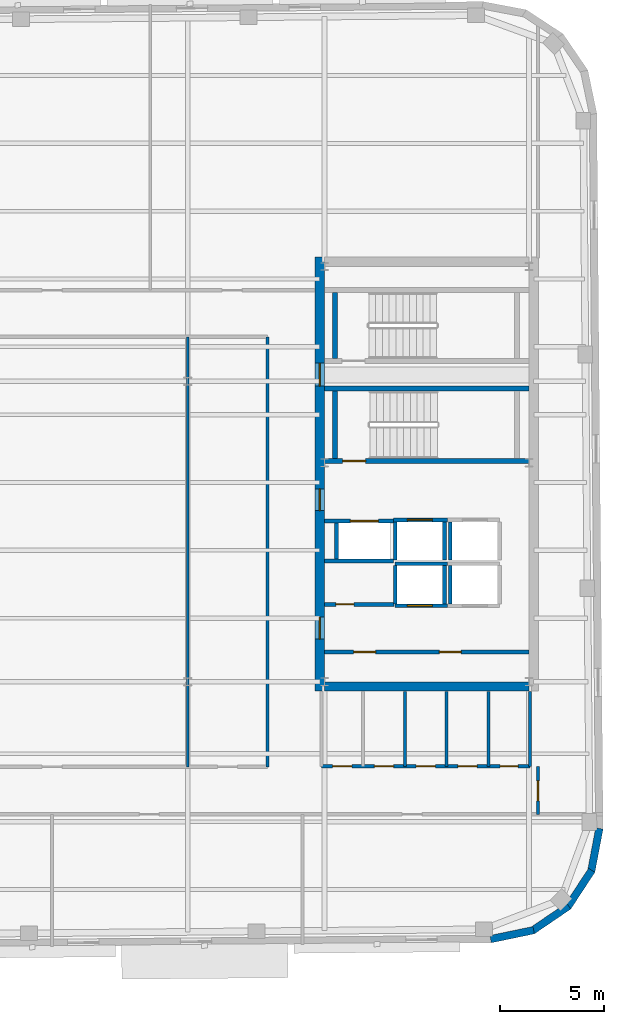
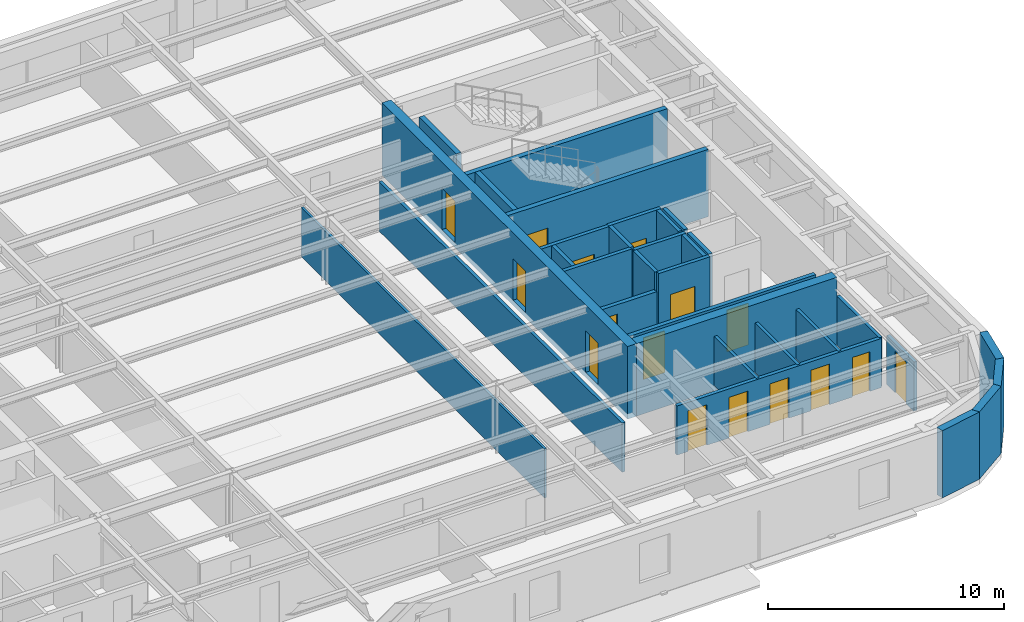
# One storey, part 8 of 13: 32 walls, 16 doors, 16 openings.
"""IFC4 building model written with IfcOpenShell, lengths in metres."""

from ifc_helpers import new_model, si_unit, direction, frame, frame_2d, origin, place, context, subcontext, project, spatial, rectangle, extrude, material, layer, layer_set, type_object, element, fill, save


model = new_model("IFC4")

# Units and contexts
model_context = context("Model", 3, precision=1e-05, world=origin(), true_north=direction((0.0, 1.0)))
body_context = subcontext(model_context, "Body", "Model", "MODEL_VIEW")
ifc_project = project(units=[si_unit("LENGTHUNIT", "METRE"), si_unit("AREAUNIT", "SQUARE_METRE"), si_unit("VOLUMEUNIT", "CUBIC_METRE"), si_unit("PLANEANGLEUNIT", "RADIAN"), si_unit("MASSUNIT", "GRAM", prefix="KILO")], contexts=[model_context])

# Site, building, storey
site_placement = place(None, origin())
site = spatial("IfcSite", under=ifc_project, at=site_placement, CompositionType="ELEMENT")
building_placement = place(site_placement, origin())
building = spatial("IfcBuilding", under=site, at=building_placement, Name="Kolvaren Arena Tower", CompositionType="ELEMENT")
storey_placement = place(building_placement, frame((0.0, 0.0, 278.64990234375)))
storey = spatial("IfcBuildingStorey", under=building, at=storey_placement, Name="L68", CompositionType="ELEMENT", Elevation=278.64990234375)

# Wall
ifc_material_1 = material(Name="Gypsum board acoustic assembly", Category="gypsum")
ifc_layer_1 = layer(ifc_material_1, 0.159912109375)
ifc_layer_set_1 = layer_set([ifc_layer_1], Name="Gypsum board acoustic assembly")
wall_type_1 = type_object("IfcWallType", Name="CORR-160", PredefinedType="PARTITIONING", material=ifc_layer_set_1)
wall_1_placement = place(storey_placement, frame((47.820068359375, 15.3798828125, 0.0), z_axis=(0.0, 0.0, 1.0), x_axis=(0.0, 1.0, 0.0)))
element("IfcWall", 1, at=wall_1_placement, inside=storey, type_object=wall_type_1, Name="Interior Partition Wall (L68)", PredefinedType="PARTITIONING", context=body_context, shape_type="SweptSolid", body=[
    extrude(rectangle(XDim=20.60009765625, YDim=0.159912109375, at=frame_2d((10.300048828125, 0.0))), origin(), (0.0, 0.0, 1.0), 2.5400390625),
])

# Wall, opening, door
wall_2_placement = place(storey_placement, frame((60.780029296875, 13.10009765625, 0.0), z_axis=(0.0, 0.0, 1.0), x_axis=(0.0, 1.0, 0.0)))
wall_2 = element("IfcWall", 2, at=wall_2_placement, inside=storey, type_object=wall_type_1, Name="Interior Partition Wall (L68)", PredefinedType="PARTITIONING", context=body_context, shape_type="SweptSolid", body=[
    extrude(rectangle(XDim=2.2998046875, YDim=0.159912109375, at=frame_2d((1.14990234375, 0.0))), origin(), (0.0, 0.0, 1.0), 2.5400390625),
])
opening_1_placement = place(wall_2_placement, frame((0.64990234375, 0.0, 0.0)))
opening_1 = element("IfcOpeningElement", 3, at=opening_1_placement, cuts=wall_2, Name="Opening D05", PredefinedType="OPENING", context=body_context, shape_type="SweptSolid", body=[
    extrude(rectangle(XDim=0.949951171875, YDim=2.14990234375, at=frame_2d((0.47509765625, 1.074951171875))), frame((0.0, 0.08984375, 0.0), z_axis=(0.0, -1.0, 0.0), x_axis=(1.0, 0.0, 0.0)), (0.0, 0.0, 1.0), 0.179931640625),
])
ifc_material_2 = material(Name="Solid-core oak acoustic office door", Category="wood")
door_type_1 = type_object("IfcDoorType", Name="DOOR-OF-095", OperationType="NOTDEFINED", PredefinedType="DOOR", material=ifc_material_2)
door_1_placement = place(opening_1_placement, origin())
door_1 = element("IfcDoor", 4, at=door_1_placement, inside=storey, type_object=door_type_1, Name="East Wing Studio Door (L68)", OperationType="SINGLE_SWING_RIGHT", OverallHeight=2.14990234375, OverallWidth=0.949951171875, PredefinedType="DOOR", context=body_context, shape_type="SweptSolid", body=[
    extrude(rectangle(XDim=0.949951171875, YDim=2.14990234375, at=frame_2d((0.47509765625, 1.074951171875))), frame((0.0, 0.02490234375, 0.0), z_axis=(0.0, -1.0, 0.0), x_axis=(1.0, 0.0, 0.0)), (0.0, 0.0, 1.0), 0.050048828125),
])
fill(opening_1, door_1)

# Wall, openings, doors
ifc_material_3 = material(Name="Concrete 55 MPa", Category="concrete")
ifc_layer_2 = layer(ifc_material_3, 0.449951171875)
ifc_layer_set_2 = layer_set([ifc_layer_2], Name="Concrete 55 MPa")
wall_type_2 = type_object("IfcWallType", Name="CWALL-450", PredefinedType="SHEAR", material=ifc_layer_set_2)
wall_3_placement = place(storey_placement, frame((50.324951171875, 19.0, -0.27001953125), z_axis=(0.0, 0.0, 1.0), x_axis=(0.0, 1.0, 0.0)))
wall_3 = element("IfcWall", 5, at=wall_3_placement, inside=storey, type_object=wall_type_2, Name="Core Shear Wall EC-WEST (L68)", PredefinedType="SHEAR", context=body_context, shape_type="SweptSolid", body=[
    extrude(rectangle(XDim=20.800048828125, YDim=0.449951171875, at=frame_2d((10.39990234375, 0.0))), origin(), (0.0, 0.0, 1.0), 3.75),
])
opening_2_placement = place(wall_3_placement, frame((2.5, 0.0, 0.27001953125)))
opening_2 = element("IfcOpeningElement", 6, at=opening_2_placement, cuts=wall_3, Name="Opening D04", PredefinedType="OPENING", context=body_context, shape_type="SweptSolid", body=[
    extrude(rectangle(XDim=1.050048828125, YDim=2.14990234375, at=frame_2d((0.52490234375, 1.074951171875))), frame((0.0, 0.23486328125, 0.0), z_axis=(0.0, -1.0, 0.0), x_axis=(1.0, 0.0, 0.0)), (0.0, 0.0, 1.0), 0.469970703125),
])
opening_3_placement = place(wall_3_placement, frame((8.64990234375, 0.0, 0.27001953125)))
opening_3 = element("IfcOpeningElement", 7, at=opening_3_placement, cuts=wall_3, Name="Opening D04", PredefinedType="OPENING", context=body_context, shape_type="SweptSolid", body=[
    extrude(rectangle(XDim=1.050048828125, YDim=2.14990234375, at=frame_2d((0.52490234375, 1.074951171875))), frame((0.0, 0.23486328125, 0.0), z_axis=(0.0, -1.0, 0.0), x_axis=(1.0, 0.0, 0.0)), (0.0, 0.0, 1.0), 0.469970703125),
])
opening_4_placement = place(wall_3_placement, frame((14.6201171875, 0.0, 0.27001953125)))
opening_4 = element("IfcOpeningElement", 8, at=opening_4_placement, cuts=wall_3, Name="Opening D03", PredefinedType="OPENING", context=body_context, shape_type="SweptSolid", body=[
    extrude(rectangle(XDim=1.10009765625, YDim=2.14990234375, at=frame_2d((0.550048828125, 1.074951171875))), frame((0.0, 0.23486328125, 0.0), z_axis=(0.0, -1.0, 0.0), x_axis=(1.0, 0.0, 0.0)), (0.0, 0.0, 1.0), 0.469970703125),
])
ifc_material_4 = material(Name="Fire-rated steel lobby door", Category="steel")
door_type_2 = type_object("IfcDoorType", Name="DOOR-FF-105", OperationType="NOTDEFINED", PredefinedType="DOOR", material=ifc_material_4)
door_2_placement = place(opening_2_placement, origin())
door_2 = element("IfcDoor", 9, at=door_2_placement, inside=storey, type_object=door_type_2, Name="East Lift Lobby Fire Door (L68)", OperationType="SINGLE_SWING_RIGHT", OverallHeight=2.14990234375, OverallWidth=1.050048828125, PredefinedType="DOOR", context=body_context, shape_type="SweptSolid", body=[
    extrude(rectangle(XDim=1.050048828125, YDim=2.14990234375, at=frame_2d((0.52490234375, 1.074951171875))), frame((0.0, 0.02490234375, 0.0), z_axis=(0.0, -1.0, 0.0), x_axis=(1.0, 0.0, 0.0)), (0.0, 0.0, 1.0), 0.050048828125),
])
fill(opening_2, door_2)
door_3_placement = place(opening_3_placement, origin())
door_3 = element("IfcDoor", 10, at=door_3_placement, inside=storey, type_object=door_type_2, Name="East Firefighter Vestibule Door (L68)", OperationType="SINGLE_SWING_LEFT", OverallHeight=2.14990234375, OverallWidth=1.050048828125, PredefinedType="DOOR", context=body_context, shape_type="SweptSolid", body=[
    extrude(rectangle(XDim=1.050048828125, YDim=2.14990234375, at=frame_2d((0.52490234375, 1.074951171875))), frame((0.0, 0.02490234375, 0.0), z_axis=(0.0, -1.0, 0.0), x_axis=(1.0, 0.0, 0.0)), (0.0, 0.0, 1.0), 0.050048828125),
])
fill(opening_3, door_3)
ifc_material_5 = material(Name="Fire-rated steel exit stair door", Category="steel")
door_type_3 = type_object("IfcDoorType", Name="DOOR-ST-110", OperationType="NOTDEFINED", PredefinedType="DOOR", material=ifc_material_5)
door_4_placement = place(opening_4_placement, origin())
door_4 = element("IfcDoor", 11, at=door_4_placement, inside=storey, type_object=door_type_3, Name="Stair ST-E2 Vestibule Fire Door (L68)", OperationType="SINGLE_SWING_LEFT", OverallHeight=2.14990234375, OverallWidth=1.10009765625, PredefinedType="DOOR", context=body_context, shape_type="SweptSolid", body=[
    extrude(rectangle(XDim=1.10009765625, YDim=2.14990234375, at=frame_2d((0.550048828125, 1.074951171875))), frame((0.0, 0.02490234375, 0.0), z_axis=(0.0, -1.0, 0.0), x_axis=(1.0, 0.0, 0.0)), (0.0, 0.0, 1.0), 0.050048828125),
])
fill(opening_4, door_4)

# Walls
wall_4_placement = place(storey_placement, frame((50.550048828125, 19.22509765625, -0.27001953125), z_axis=(0.0, 0.0, 1.0), x_axis=(1.0, 0.0, 0.0)))
element("IfcWall", 12, at=wall_4_placement, inside=storey, type_object=wall_type_2, Name="Core Shear Wall EC-SOUTH (L68)", PredefinedType="SHEAR", context=body_context, shape_type="SweptSolid", body=[
    extrude(rectangle(XDim=9.800048828125, YDim=0.449951171875, at=frame_2d((4.89990234375, 0.0))), origin(), (0.0, 0.0, 1.0), 3.75),
])
ifc_material_6 = material(Name="Precast concrete C50/60", Category="concrete")
ifc_layer_3 = layer(ifc_material_6, 0.360107421875)
ifc_layer_set_3 = layer_set([ifc_layer_3], Name="Precast concrete C50/60")
wall_type_3 = type_object("IfcWallType", Name="EXT-PIER2", PredefinedType="SOLIDWALL", material=ifc_layer_set_3)
wall_5_placement = place(storey_placement, frame((60.572265625, 7.54931640625, 0.0), z_axis=(0.0, 0.0, 1.0), x_axis=(-0.979059388908, -0.203574833883, 0.0)))
element("IfcWall", 13, at=wall_5_placement, inside=storey, type_object=wall_type_3, Name="Exterior Precast Masonry-Frame Wall (L68)", PredefinedType="SOLIDWALL", context=body_context, shape_type="SweptSolid", body=[
    extrude(rectangle(XDim=2.107177734375, YDim=0.360107421875, at=frame_2d((1.0537109375, 0.0))), origin(), (0.0, 0.0, 1.0), 3.47998046875),
])
for number, where, z_axis, x_axis, name in (
    (14, (62.2490234375, 8.707763671875, 0.0), (0.0, 0.0, 1.0), (-0.826572866302, -0.562829722645, 0.0), "Exterior Precast Masonry-Frame Wall (L68)"),
    (15, (63.35498046875, 10.419921875, 0.0), (0.0, 0.0, 1.0), (-0.54818559406, -0.836356714844, 0.0), "Exterior Precast Masonry-Frame Wall (L68)"),
    (16, (63.7216796875, 12.4248046875, 0.0), (0.0, 0.0, 1.0), (-0.186435855703, -0.98246713518, 0.0), "Exterior Precast Masonry-Frame Wall (L68)"),
):
    element("IfcWall", number, at=place(storey_placement, frame(where, z_axis=z_axis, x_axis=x_axis)), inside=storey, type_object=wall_type_3, Name=name, PredefinedType="SOLIDWALL", context=body_context, shape_type="SweptSolid", body=[
        extrude(rectangle(XDim=2.10693359375, YDim=0.360107421875, at=frame_2d((1.053466796875, 0.0))), origin(), (0.0, 0.0, 1.0), 3.47998046875),
    ])

# Wall, openings, doors
ifc_material_7 = material(Name="Concrete 40 MPa", Category="concrete")
ifc_layer_4 = layer(ifc_material_7, 0.199951171875)
ifc_layer_set_4 = layer_set([ifc_layer_4], Name="Concrete 40 MPa")
wall_type_4 = type_object("IfcWallType", Name="LOBBY-200", PredefinedType="SOLIDWALL", material=ifc_layer_set_4)
wall_6_placement = place(storey_placement, frame((50.550048828125, 20.8798828125, 0.0), z_axis=(0.0, 0.0, 1.0), x_axis=(1.0, 0.0, 0.0)))
wall_6 = element("IfcWall", 17, at=wall_6_placement, inside=storey, type_object=wall_type_4, Name="Core Shaft Wall (L68)", PredefinedType="SOLIDWALL", context=body_context, shape_type="SweptSolid", body=[
    extrude(rectangle(XDim=9.800048828125, YDim=0.199951171875, at=frame_2d((4.89990234375, 0.0))), origin(), (0.0, 0.0, 1.0), 2.5400390625),
])
opening_5_placement = place(wall_6_placement, frame((1.39990234375, 0.0, 0.0)))
opening_5 = element("IfcOpeningElement", 18, at=opening_5_placement, cuts=wall_6, Name="Opening D04", PredefinedType="OPENING", context=body_context, shape_type="SweptSolid", body=[
    extrude(rectangle(XDim=1.050048828125, YDim=2.14990234375, at=frame_2d((0.52490234375, 1.074951171875))), frame((0.0, 0.10986328125, 0.0), z_axis=(0.0, -1.0, 0.0), x_axis=(1.0, 0.0, 0.0)), (0.0, 0.0, 1.0), 0.219970703125),
])
opening_6_placement = place(wall_6_placement, frame((5.5, 0.0, 0.0)))
opening_6 = element("IfcOpeningElement", 19, at=opening_6_placement, cuts=wall_6, Name="Opening D04", PredefinedType="OPENING", context=body_context, shape_type="SweptSolid", body=[
    extrude(rectangle(XDim=1.050048828125, YDim=2.14990234375, at=frame_2d((0.52490234375, 1.074951171875))), frame((0.0, 0.10986328125, 0.0), z_axis=(0.0, -1.0, 0.0), x_axis=(1.0, 0.0, 0.0)), (0.0, 0.0, 1.0), 0.219970703125),
])
door_5_placement = place(opening_5_placement, origin())
door_5 = element("IfcDoor", 20, at=door_5_placement, inside=storey, type_object=door_type_2, Name="East Telecom Room Fire Door (L68)", OperationType="SINGLE_SWING_RIGHT", OverallHeight=2.14990234375, OverallWidth=1.050048828125, PredefinedType="DOOR", context=body_context, shape_type="SweptSolid", body=[
    extrude(rectangle(XDim=1.050048828125, YDim=2.14990234375, at=frame_2d((0.52490234375, 1.074951171875))), frame((0.0, 0.02490234375, 0.0), z_axis=(0.0, -1.0, 0.0), x_axis=(1.0, 0.0, 0.0)), (0.0, 0.0, 1.0), 0.050048828125),
])
fill(opening_5, door_5)
door_6_placement = place(opening_6_placement, origin())
door_6 = element("IfcDoor", 21, at=door_6_placement, inside=storey, type_object=door_type_2, Name="East Records Room Fire Door (L68)", OperationType="SINGLE_SWING_LEFT", OverallHeight=2.14990234375, OverallWidth=1.050048828125, PredefinedType="DOOR", context=body_context, shape_type="SweptSolid", body=[
    extrude(rectangle(XDim=1.050048828125, YDim=2.14990234375, at=frame_2d((0.52490234375, 1.074951171875))), frame((0.0, 0.02490234375, 0.0), z_axis=(0.0, -1.0, 0.0), x_axis=(1.0, 0.0, 0.0)), (0.0, 0.0, 1.0), 0.050048828125),
])
fill(opening_6, door_6)

# Wall, opening, door
wall_7_placement = place(storey_placement, frame((50.550048828125, 23.159912109375, 0.0), z_axis=(0.0, 0.0, 1.0), x_axis=(1.0, 0.0, 0.0)))
wall_7 = element("IfcWall", 22, at=wall_7_placement, inside=storey, type_object=wall_type_4, Name="Core Shaft Wall (L68)", PredefinedType="SOLIDWALL", context=body_context, shape_type="SweptSolid", body=[
    extrude(rectangle(XDim=3.329833984375, YDim=0.199951171875, at=frame_2d((1.6650390625, 0.0))), origin(), (0.0, 0.0, 1.0), 2.5400390625),
])
opening_7_placement = place(wall_7_placement, frame((0.550048828125, 0.0, 0.0)))
opening_7 = element("IfcOpeningElement", 23, at=opening_7_placement, cuts=wall_7, Name="Opening D09", PredefinedType="OPENING", context=body_context, shape_type="SweptSolid", body=[
    extrude(rectangle(XDim=0.860107421875, YDim=2.050048828125, at=frame_2d((0.43017578125, 1.02490234375))), frame((0.0, 0.10986328125, 0.0), z_axis=(0.0, -1.0, 0.0), x_axis=(1.0, 0.0, 0.0)), (0.0, 0.0, 1.0), 0.219970703125),
])
ifc_material_8 = material(Name="Fire-rated steel riser access door", Category="steel")
door_type_4 = type_object("IfcDoorType", Name="DOOR-RS-086", OperationType="NOTDEFINED", PredefinedType="DOOR", material=ifc_material_8)
door_7_placement = place(opening_7_placement, origin())
door_7 = element("IfcDoor", 24, at=door_7_placement, inside=storey, type_object=door_type_4, Name="East AV Riser Closet Door (L68)", OperationType="SINGLE_SWING_LEFT", OverallHeight=2.050048828125, OverallWidth=0.860107421875, PredefinedType="DOOR", context=body_context, shape_type="SweptSolid", body=[
    extrude(rectangle(XDim=0.860107421875, YDim=2.050048828125, at=frame_2d((0.43017578125, 1.02490234375))), frame((0.0, 0.02490234375, 0.0), z_axis=(0.0, -1.0, 0.0), x_axis=(1.0, 0.0, 0.0)), (0.0, 0.0, 1.0), 0.050048828125),
])
fill(opening_7, door_7)

# Wall
ifc_material_9 = material(Name="Gypsum board partition assembly", Category="gypsum")
ifc_layer_5 = layer(ifc_material_9, 0.114990234375)
ifc_layer_set_5 = layer_set([ifc_layer_5], Name="Gypsum board partition assembly")
wall_type_5 = type_object("IfcWallType", Name="PART-115", PredefinedType="PARTITIONING", material=ifc_layer_set_5)
wall_8_placement = place(storey_placement, frame((44.0, 15.3798828125, 0.0), z_axis=(0.0, 0.0, 1.0), x_axis=(0.0, 1.0, 0.0)))
element("IfcWall", 25, at=wall_8_placement, inside=storey, type_object=wall_type_5, Name="Interior Partition Wall (L68)", PredefinedType="PARTITIONING", context=body_context, shape_type="SweptSolid", body=[
    extrude(rectangle(XDim=20.60009765625, YDim=0.114990234375, at=frame_2d((10.300048828125, 0.0))), origin(), (0.0, 0.0, 1.0), 2.5400390625),
])

# Wall, opening, door
ifc_material_10 = material(Name="Concrete 45 MPa", Category="concrete")
ifc_layer_6 = layer(ifc_material_10, 0.25)
ifc_layer_set_6 = layer_set([ifc_layer_6], Name="Concrete 45 MPa")
wall_type_6 = type_object("IfcWallType", Name="SHAFT-250", PredefinedType="SOLIDWALL", material=ifc_layer_set_6)
wall_9_placement = place(storey_placement, frame((60.35009765625, 30.030029296875, 0.0), z_axis=(0.0, 0.0, 1.0), x_axis=(-1.0, 0.0, 0.0)))
wall_9 = element("IfcWall", 26, at=wall_9_placement, inside=storey, type_object=wall_type_6, Name="Core Shaft Wall (L68)", PredefinedType="SOLIDWALL", context=body_context, shape_type="SweptSolid", body=[
    extrude(rectangle(XDim=9.800048828125, YDim=0.239990234375, at=frame_2d((4.89990234375, 0.0))), origin(), (0.0, 0.0, 1.0), 3.47998046875),
])
opening_8_placement = place(wall_9_placement, frame((7.830078125, 0.0, 0.0)))
opening_8 = element("IfcOpeningElement", 27, at=opening_8_placement, cuts=wall_9, Name="Opening D03", PredefinedType="OPENING", context=body_context, shape_type="SweptSolid", body=[
    extrude(rectangle(XDim=1.10009765625, YDim=2.14990234375, at=frame_2d((0.550048828125, 1.074951171875))), frame((0.0, 0.1298828125, 0.0), z_axis=(0.0, -1.0, 0.0), x_axis=(1.0, 0.0, 0.0)), (0.0, 0.0, 1.0), 0.260009765625),
])
door_8_placement = place(opening_8_placement, origin())
door_8 = element("IfcDoor", 28, at=door_8_placement, inside=storey, type_object=door_type_3, Name="Stair ST-E1 Fire Door (L68)", OperationType="SINGLE_SWING_LEFT", OverallHeight=2.14990234375, OverallWidth=1.10009765625, PredefinedType="DOOR", context=body_context, shape_type="SweptSolid", body=[
    extrude(rectangle(XDim=1.10009765625, YDim=2.14990234375, at=frame_2d((0.550048828125, 1.074951171875))), frame((0.0, 0.02490234375, 0.0), z_axis=(0.0, -1.0, 0.0), x_axis=(1.0, 0.0, 0.0)), (0.0, 0.0, 1.0), 0.050048828125),
])
fill(opening_8, door_8)

# Walls
wall_10_placement = place(storey_placement, frame((50.550048828125, 33.5, 0.0), z_axis=(0.0, 0.0, 1.0), x_axis=(1.0, 0.0, 0.0)))
element("IfcWall", 29, at=wall_10_placement, inside=storey, type_object=wall_type_6, Name="Core Shaft Wall (L68)", PredefinedType="SOLIDWALL", context=body_context, shape_type="SweptSolid", body=[
    extrude(rectangle(XDim=9.800048828125, YDim=0.239990234375, at=frame_2d((4.89990234375, 0.0))), origin(), (0.0, 0.0, 1.0), 3.47998046875),
])
wall_11_placement = place(storey_placement, frame((51.06005859375, 30.14990234375, 0.0), z_axis=(0.0, 0.0, 1.0), x_axis=(0.0, 1.0, 0.0)))
element("IfcWall", 30, at=wall_11_placement, inside=storey, type_object=wall_type_6, Name="Core Shaft Wall (L68)", PredefinedType="SOLIDWALL", context=body_context, shape_type="SweptSolid", body=[
    extrude(rectangle(XDim=3.22998046875, YDim=0.239990234375, at=frame_2d((1.614990234375, 0.0))), origin(), (0.0, 0.0, 1.0), 3.47998046875),
])
wall_12_placement = place(storey_placement, frame((51.06005859375, 34.949951171875, 0.0), z_axis=(0.0, 0.0, 1.0), x_axis=(0.0, 1.0, 0.0)))
element("IfcWall", 31, at=wall_12_placement, inside=storey, type_object=wall_type_6, Name="Core Shaft Wall (L68)", PredefinedType="SOLIDWALL", context=body_context, shape_type="SweptSolid", body=[
    extrude(rectangle(XDim=3.150146484375, YDim=0.239990234375, at=frame_2d((1.5751953125, 0.0))), origin(), (0.0, 0.0, 1.0), 3.47998046875),
])
wall_13_placement = place(storey_placement, frame((53.93994140625, 25.10498046875, 0.0), z_axis=(0.0, 0.0, 1.0), x_axis=(1.0, 0.0, 0.0)))
element("IfcWall", 32, at=wall_13_placement, inside=storey, type_object=wall_type_6, Name="Core Shaft Wall (L68)", PredefinedType="SOLIDWALL", context=body_context, shape_type="SweptSolid", body=[
    extrude(rectangle(XDim=2.5, YDim=0.179931640625, at=frame_2d((1.25, 0.0))), origin(), (0.0, 0.0, 1.0), 3.47998046875),
])

# Wall, opening, door
wall_14_placement = place(storey_placement, frame((53.93994140625, 23.094970703125, 0.0), z_axis=(0.0, 0.0, 1.0), x_axis=(1.0, 0.0, 0.0)))
wall_14 = element("IfcWall", 33, at=wall_14_placement, inside=storey, type_object=wall_type_6, Name="Core Shaft Wall (L68)", PredefinedType="SOLIDWALL", context=body_context, shape_type="SweptSolid", body=[
    extrude(rectangle(XDim=2.5, YDim=0.179931640625, at=frame_2d((1.25, 0.0))), origin(), (0.0, 0.0, 1.0), 3.47998046875),
])
opening_9_placement = place(wall_14_placement, frame((0.580078125, 0.0, 0.0)))
opening_9 = element("IfcOpeningElement", 34, at=opening_9_placement, cuts=wall_14, Name="Opening LD1", PredefinedType="OPENING", context=body_context, shape_type="SweptSolid", body=[
    extrude(rectangle(XDim=1.199951171875, YDim=2.199951171875, at=frame_2d((0.60009765625, 1.10009765625))), frame((0.0, 0.099853515625, 0.0), z_axis=(0.0, -1.0, 0.0), x_axis=(1.0, 0.0, 0.0)), (0.0, 0.0, 1.0), 0.199951171875),
])
ifc_material_11 = material(Name="Stainless steel passenger lift landing door", Category="steel")
door_type_5 = type_object("IfcDoorType", Name="DOOR-LD-120", OperationType="DOUBLE_DOOR_SLIDING", PredefinedType="DOOR", material=ifc_material_11)
door_9_placement = place(opening_9_placement, origin())
door_9 = element("IfcDoor", 35, at=door_9_placement, inside=storey, type_object=door_type_5, Name="Lift EL-HR1 Landing Door (L68)", OperationType="DOUBLE_DOOR_SLIDING", OverallHeight=2.199951171875, OverallWidth=1.199951171875, PredefinedType="DOOR", context=body_context, shape_type="SweptSolid", body=[
    extrude(rectangle(XDim=1.199951171875, YDim=2.199951171875, at=frame_2d((0.60009765625, 1.10009765625))), frame((0.0, 0.02490234375, 0.0), z_axis=(0.0, -1.0, 0.0), x_axis=(1.0, 0.0, 0.0)), (0.0, 0.0, 1.0), 0.050048828125),
])
fill(opening_9, door_9)

# Walls
for number, where, z_axis, x_axis, name in (
    (36, (53.93994140625, 23.18505859375, 0.0), (0.0, 0.0, 1.0), (0.0, 1.0, 0.0), "Core Shaft Wall (L68)"),
    (37, (56.300048828125, 23.18505859375, 0.0), (0.0, 0.0, 1.0), (0.0, 1.0, 0.0), "Core Shaft Wall (L68)"),
    (38, (56.580078125, 23.18505859375, 0.0), (0.0, 0.0, 1.0), (0.0, 1.0, 0.0), "Core Shaft Wall (L68)"),
):
    element("IfcWall", number, at=place(storey_placement, frame(where, z_axis=z_axis, x_axis=x_axis)), inside=storey, type_object=wall_type_6, Name=name, PredefinedType="SOLIDWALL", context=body_context, shape_type="SweptSolid", body=[
        extrude(rectangle(XDim=1.829833984375, YDim=0.179931640625, at=frame_2d((0.9150390625, 0.0))), origin(), (0.0, 0.0, 1.0), 3.47998046875),
    ])

# Wall, opening, door
wall_15_placement = place(storey_placement, frame((53.864990234375, 27.205078125, 0.0), z_axis=(0.0, 0.0, 1.0), x_axis=(1.0, 0.0, 0.0)))
wall_15 = element("IfcWall", 39, at=wall_15_placement, inside=storey, type_object=wall_type_6, Name="Core Shaft Wall (L68)", PredefinedType="SOLIDWALL", context=body_context, shape_type="SweptSolid", body=[
    extrude(rectangle(XDim=2.574951171875, YDim=0.179931640625, at=frame_2d((1.28759765625, 0.0))), origin(), (0.0, 0.0, 1.0), 3.47998046875),
])
opening_10_placement = place(wall_15_placement, frame((0.655029296875, 0.0, 0.0)))
opening_10 = element("IfcOpeningElement", 40, at=opening_10_placement, cuts=wall_15, Name="Opening LD1", PredefinedType="OPENING", context=body_context, shape_type="SweptSolid", body=[
    extrude(rectangle(XDim=1.199951171875, YDim=2.199951171875, at=frame_2d((0.60009765625, 1.10009765625))), frame((0.0, 0.099853515625, 0.0), z_axis=(0.0, -1.0, 0.0), x_axis=(1.0, 0.0, 0.0)), (0.0, 0.0, 1.0), 0.199951171875),
])
door_10_placement = place(opening_10_placement, origin())
door_10 = element("IfcDoor", 41, at=door_10_placement, inside=storey, type_object=door_type_5, Name="Lift EL-HR3 Landing Door (L68)", OperationType="DOUBLE_DOOR_SLIDING", OverallHeight=2.199951171875, OverallWidth=1.199951171875, PredefinedType="DOOR", context=body_context, shape_type="SweptSolid", body=[
    extrude(rectangle(XDim=1.199951171875, YDim=2.199951171875, at=frame_2d((0.60009765625, 1.10009765625))), frame((0.0, 0.02490234375, 0.0), z_axis=(0.0, -1.0, 0.0), x_axis=(1.0, 0.0, 0.0)), (0.0, 0.0, 1.0), 0.050048828125),
])
fill(opening_10, door_10)

# Walls
for number, where, z_axis, x_axis, name in (
    (42, (53.93994140625, 25.284912109375, 0.0), (0.0, 0.0, 1.0), (0.0, 1.0, 0.0), "Core Shaft Wall (L68)"),
    (43, (56.300048828125, 25.284912109375, 0.0), (0.0, 0.0, 1.0), (0.0, 1.0, 0.0), "Core Shaft Wall (L68)"),
    (44, (56.580078125, 25.284912109375, 0.0), (0.0, 0.0, 1.0), (0.0, 1.0, 0.0), "Core Shaft Wall (L68)"),
):
    element("IfcWall", number, at=place(storey_placement, frame(where, z_axis=z_axis, x_axis=x_axis)), inside=storey, type_object=wall_type_6, Name=name, PredefinedType="SOLIDWALL", context=body_context, shape_type="SweptSolid", body=[
        extrude(rectangle(XDim=1.830078125, YDim=0.179931640625, at=frame_2d((0.9150390625, 0.0))), origin(), (0.0, 0.0, 1.0), 3.47998046875),
    ])

# Wall, opening, door
wall_16_placement = place(storey_placement, frame((50.550048828125, 27.155029296875, 0.0), z_axis=(0.0, 0.0, 1.0), x_axis=(1.0, 0.0, 0.0)))
wall_16 = element("IfcWall", 45, at=wall_16_placement, inside=storey, type_object=wall_type_6, Name="Core Shaft Wall (L68)", PredefinedType="SOLIDWALL", context=body_context, shape_type="SweptSolid", body=[
    extrude(rectangle(XDim=3.31494140625, YDim=0.179931640625, at=frame_2d((1.657470703125, 0.0))), origin(), (0.0, 0.0, 1.0), 3.47998046875),
])
opening_11_placement = place(wall_16_placement, frame((1.235107421875, 0.0, 0.0)))
opening_11 = element("IfcOpeningElement", 46, at=opening_11_placement, cuts=wall_16, Name="Opening LD2", PredefinedType="OPENING", context=body_context, shape_type="SweptSolid", body=[
    extrude(rectangle(XDim=1.35009765625, YDim=2.300048828125, at=frame_2d((0.675048828125, 1.14990234375))), frame((0.0, 0.099853515625, 0.0), z_axis=(0.0, -1.0, 0.0), x_axis=(1.0, 0.0, 0.0)), (0.0, 0.0, 1.0), 0.199951171875),
])
ifc_material_12 = material(Name="Stainless steel firefighter lift landing door", Category="steel")
door_type_6 = type_object("IfcDoorType", Name="DOOR-LD-135", OperationType="DOUBLE_DOOR_SLIDING", PredefinedType="DOOR", material=ifc_material_12)
door_11_placement = place(opening_11_placement, origin())
door_11 = element("IfcDoor", 47, at=door_11_placement, inside=storey, type_object=door_type_6, Name="Firefighter Lift FF-E1 Landing Door (L68)", OperationType="DOUBLE_DOOR_SLIDING", OverallHeight=2.300048828125, OverallWidth=1.35009765625, PredefinedType="DOOR", context=body_context, shape_type="SweptSolid", body=[
    extrude(rectangle(XDim=1.35009765625, YDim=2.300048828125, at=frame_2d((0.675048828125, 1.14990234375))), frame((0.0, 0.02490234375, 0.0), z_axis=(0.0, -1.0, 0.0), x_axis=(1.0, 0.0, 0.0)), (0.0, 0.0, 1.0), 0.050048828125),
])
fill(opening_11, door_11)

# Walls
wall_17_placement = place(storey_placement, frame((50.550048828125, 25.2451171875, 0.0), z_axis=(0.0, 0.0, 1.0), x_axis=(1.0, 0.0, 0.0)))
element("IfcWall", 48, at=wall_17_placement, inside=storey, type_object=wall_type_6, Name="Core Shaft Wall (L68)", PredefinedType="SOLIDWALL", context=body_context, shape_type="SweptSolid", body=[
    extrude(rectangle(XDim=3.31494140625, YDim=0.179931640625, at=frame_2d((1.657470703125, 0.0))), origin(), (0.0, 0.0, 1.0), 3.47998046875),
])
wall_18_placement = place(storey_placement, frame((51.1298828125, 25.3349609375, 0.0), z_axis=(0.0, 0.0, 1.0), x_axis=(0.0, 1.0, 0.0)))
element("IfcWall", 49, at=wall_18_placement, inside=storey, type_object=wall_type_6, Name="Core Shaft Wall (L68)", PredefinedType="SOLIDWALL", context=body_context, shape_type="SweptSolid", body=[
    extrude(rectangle(XDim=1.72998046875, YDim=0.179931640625, at=frame_2d((0.864990234375, 0.0))), origin(), (0.0, 0.0, 1.0), 3.47998046875),
])

# Wall, openings, doors
wall_19_placement = place(storey_placement, frame((50.39990234375, 15.39990234375, 0.0), z_axis=(0.0, 0.0, 1.0), x_axis=(1.0, 0.0, 0.0)))
wall_19 = element("IfcWall", 50, at=wall_19_placement, inside=storey, type_object=wall_type_6, Name="Interior Partition Wall (L68)", PredefinedType="SOLIDWALL", context=body_context, shape_type="SweptSolid", body=[
    extrude(rectangle(XDim=10.0, YDim=0.179931640625, at=frame_2d((5.0, 0.0))), origin(), (0.0, 0.0, 1.0), 2.5400390625),
])
opening_12_placement = place(wall_19_placement, frame((0.5400390625, 0.0, 0.0)))
opening_12 = element("IfcOpeningElement", 51, at=opening_12_placement, cuts=wall_19, Name="Opening D07", PredefinedType="OPENING", context=body_context, shape_type="SweptSolid", body=[
    extrude(rectangle(XDim=0.919921875, YDim=2.10009765625, at=frame_2d((0.4599609375, 1.050048828125))), frame((0.0, 0.099853515625, 0.0), z_axis=(0.0, -1.0, 0.0), x_axis=(1.0, 0.0, 0.0)), (0.0, 0.0, 1.0), 0.199951171875),
])
opening_13_placement = place(wall_19_placement, frame((2.5400390625, 0.0, 0.0)))
opening_13 = element("IfcOpeningElement", 52, at=opening_13_placement, cuts=wall_19, Name="Opening D07", PredefinedType="OPENING", context=body_context, shape_type="SweptSolid", body=[
    extrude(rectangle(XDim=0.919921875, YDim=2.10009765625, at=frame_2d((0.4599609375, 1.050048828125))), frame((0.0, 0.099853515625, 0.0), z_axis=(0.0, -1.0, 0.0), x_axis=(1.0, 0.0, 0.0)), (0.0, 0.0, 1.0), 0.199951171875),
])
opening_14_placement = place(wall_19_placement, frame((4.5400390625, 0.0, 0.0)))
opening_14 = element("IfcOpeningElement", 53, at=opening_14_placement, cuts=wall_19, Name="Opening D07", PredefinedType="OPENING", context=body_context, shape_type="SweptSolid", body=[
    extrude(rectangle(XDim=0.919921875, YDim=2.10009765625, at=frame_2d((0.4599609375, 1.050048828125))), frame((0.0, 0.099853515625, 0.0), z_axis=(0.0, -1.0, 0.0), x_axis=(1.0, 0.0, 0.0)), (0.0, 0.0, 1.0), 0.199951171875),
])
opening_15_placement = place(wall_19_placement, frame((6.5400390625, 0.0, 0.0)))
opening_15 = element("IfcOpeningElement", 54, at=opening_15_placement, cuts=wall_19, Name="Opening D07", PredefinedType="OPENING", context=body_context, shape_type="SweptSolid", body=[
    extrude(rectangle(XDim=0.919921875, YDim=2.10009765625, at=frame_2d((0.4599609375, 1.050048828125))), frame((0.0, 0.099853515625, 0.0), z_axis=(0.0, -1.0, 0.0), x_axis=(1.0, 0.0, 0.0)), (0.0, 0.0, 1.0), 0.199951171875),
])
opening_16_placement = place(wall_19_placement, frame((8.570068359375, 0.0, 0.0)))
opening_16 = element("IfcOpeningElement", 55, at=opening_16_placement, cuts=wall_19, Name="Opening D09", PredefinedType="OPENING", context=body_context, shape_type="SweptSolid", body=[
    extrude(rectangle(XDim=0.860107421875, YDim=2.050048828125, at=frame_2d((0.43017578125, 1.02490234375))), frame((0.0, 0.099853515625, 0.0), z_axis=(0.0, -1.0, 0.0), x_axis=(1.0, 0.0, 0.0)), (0.0, 0.0, 1.0), 0.199951171875),
])
door_12_placement = place(opening_16_placement, origin())
door_12 = element("IfcDoor", 56, at=door_12_placement, inside=storey, type_object=door_type_4, Name="Telecom Riser Closet Door (L68)", OperationType="SINGLE_SWING_RIGHT", OverallHeight=2.050048828125, OverallWidth=0.860107421875, PredefinedType="DOOR", context=body_context, shape_type="SweptSolid", body=[
    extrude(rectangle(XDim=0.860107421875, YDim=2.050048828125, at=frame_2d((0.43017578125, 1.02490234375))), frame((0.0, 0.02490234375, 0.0), z_axis=(0.0, -1.0, 0.0), x_axis=(1.0, 0.0, 0.0)), (0.0, 0.0, 1.0), 0.050048828125),
])
fill(opening_16, door_12)
ifc_material_13 = material(Name="Laminate universal washroom door", Category="wood")
door_type_7 = type_object("IfcDoorType", Name="DOOR-WC-092", OperationType="NOTDEFINED", PredefinedType="DOOR", material=ifc_material_13)
door_13_placement = place(opening_12_placement, origin())
door_13 = element("IfcDoor", 57, at=door_13_placement, inside=storey, type_object=door_type_7, Name="First Aid Store Door (L68)", OperationType="SINGLE_SWING_RIGHT", OverallHeight=2.10009765625, OverallWidth=0.919921875, PredefinedType="DOOR", context=body_context, shape_type="SweptSolid", body=[
    extrude(rectangle(XDim=0.919921875, YDim=2.10009765625, at=frame_2d((0.4599609375, 1.050048828125))), frame((0.0, 0.02490234375, 0.0), z_axis=(0.0, -1.0, 0.0), x_axis=(1.0, 0.0, 0.0)), (0.0, 0.0, 1.0), 0.050048828125),
])
fill(opening_12, door_13)
door_14_placement = place(opening_13_placement, origin())
door_14 = element("IfcDoor", 58, at=door_14_placement, inside=storey, type_object=door_type_7, Name="Cleaner and Janitor Store Door (L68)", OperationType="SINGLE_SWING_LEFT", OverallHeight=2.10009765625, OverallWidth=0.919921875, PredefinedType="DOOR", context=body_context, shape_type="SweptSolid", body=[
    extrude(rectangle(XDim=0.919921875, YDim=2.10009765625, at=frame_2d((0.4599609375, 1.050048828125))), frame((0.0, 0.02490234375, 0.0), z_axis=(0.0, -1.0, 0.0), x_axis=(1.0, 0.0, 0.0)), (0.0, 0.0, 1.0), 0.050048828125),
])
fill(opening_13, door_14)
door_15_placement = place(opening_14_placement, origin())
door_15 = element("IfcDoor", 59, at=door_15_placement, inside=storey, type_object=door_type_7, Name="Staff Pantry Door (L68)", OperationType="SINGLE_SWING_RIGHT", OverallHeight=2.10009765625, OverallWidth=0.919921875, PredefinedType="DOOR", context=body_context, shape_type="SweptSolid", body=[
    extrude(rectangle(XDim=0.919921875, YDim=2.10009765625, at=frame_2d((0.4599609375, 1.050048828125))), frame((0.0, 0.02490234375, 0.0), z_axis=(0.0, -1.0, 0.0), x_axis=(1.0, 0.0, 0.0)), (0.0, 0.0, 1.0), 0.050048828125),
])
fill(opening_14, door_15)
door_16_placement = place(opening_15_placement, origin())
door_16 = element("IfcDoor", 60, at=door_16_placement, inside=storey, type_object=door_type_7, Name="Gender-Neutral Washroom Door (L68)", OperationType="SINGLE_SWING_LEFT", OverallHeight=2.10009765625, OverallWidth=0.919921875, PredefinedType="DOOR", context=body_context, shape_type="SweptSolid", body=[
    extrude(rectangle(XDim=0.919921875, YDim=2.10009765625, at=frame_2d((0.4599609375, 1.050048828125))), frame((0.0, 0.02490234375, 0.0), z_axis=(0.0, -1.0, 0.0), x_axis=(1.0, 0.0, 0.0)), (0.0, 0.0, 1.0), 0.050048828125),
])
fill(opening_15, door_16)

# Walls
ifc_material_14 = material(Name="Moisture-resistant gypsum assembly", Category="gypsum")
ifc_layer_7 = layer(ifc_material_14, 0.14990234375)
ifc_layer_set_7 = layer_set([ifc_layer_7], Name="Moisture-resistant gypsum assembly")
wall_type_7 = type_object("IfcWallType", Name="WETW-150", PredefinedType="PARTITIONING", material=ifc_layer_set_7)
for number, where, z_axis, x_axis, name in (
    (61, (54.39990234375, 15.39990234375, 0.0), (0.0, 0.0, 1.0), (0.0, 1.0, 0.0), "Interior Partition Wall (L68)"),
    (62, (56.39990234375, 15.39990234375, 0.0), (0.0, 0.0, 1.0), (0.0, 1.0, 0.0), "Interior Partition Wall (L68)"),
    (63, (58.39990234375, 15.39990234375, 0.0), (0.0, 0.0, 1.0), (0.0, 1.0, 0.0), "Interior Partition Wall (L68)"),
    (64, (60.39990234375, 15.39990234375, 0.0), (0.0, 0.0, 1.0), (0.0, 1.0, 0.0), "Interior Partition Wall (L68)"),
):
    element("IfcWall", number, at=place(storey_placement, frame(where, z_axis=z_axis, x_axis=x_axis)), inside=storey, type_object=wall_type_7, Name=name, PredefinedType="PARTITIONING", context=body_context, shape_type="SweptSolid", body=[
        extrude(rectangle(XDim=3.580078125, YDim=0.14990234375, at=frame_2d((1.7900390625, 0.0))), origin(), (0.0, 0.0, 1.0), 2.5400390625),
    ])

save(model, "model.ifc")
